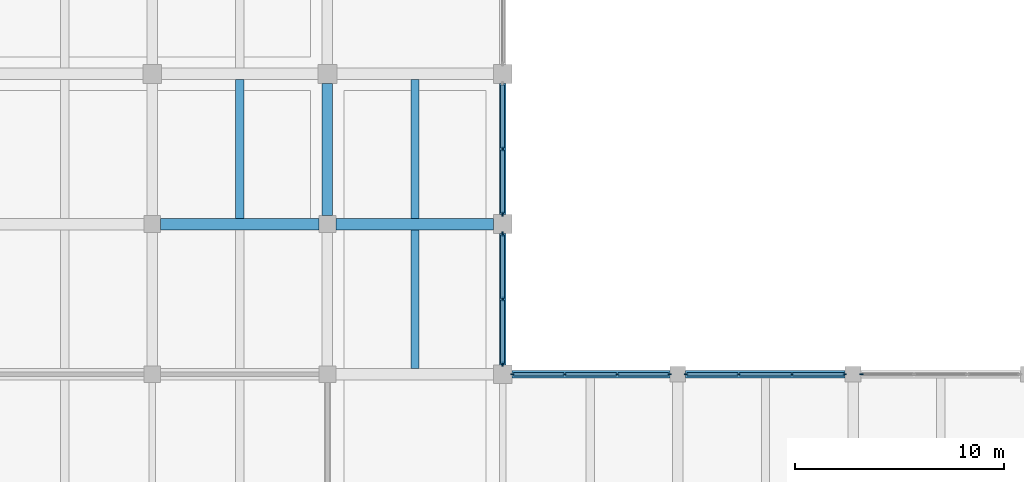
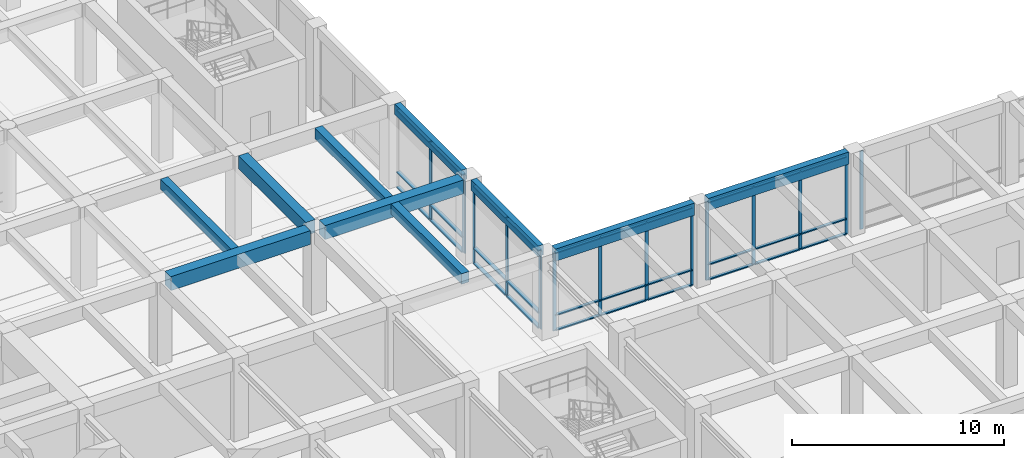
# One storey, part 16 of 52: 44 members, 10 beams, 5 elements without a shape of their own.
"""IFC4 building model written with IfcOpenShell, lengths in metres."""

from ifc_helpers import new_model, si_unit, direction, frame, origin, origin_2d, place, context, subcontext, project, spatial, rectangle, extrude, material, material_profile, profile_set, type_object, element, aggregate, save


model = new_model("IFC4")

# Units and contexts
model_context = context("Model", 3, precision=1e-05, world=origin(), true_north=direction((0.0, 1.0)))
body_context = subcontext(model_context, "Body", "Model", "MODEL_VIEW")
ifc_project = project(units=[si_unit("LENGTHUNIT", "METRE"), si_unit("AREAUNIT", "SQUARE_METRE"), si_unit("VOLUMEUNIT", "CUBIC_METRE"), si_unit("PLANEANGLEUNIT", "RADIAN"), si_unit("MASSUNIT", "GRAM", prefix="KILO")], contexts=[model_context])

# Site, building, storey
site_placement = place(None, origin())
site = spatial("IfcSite", under=ifc_project, at=site_placement, CompositionType="ELEMENT")
building_placement = place(site_placement, origin())
building = spatial("IfcBuilding", under=site, at=building_placement, Name="Kenerak Square Central Library", CompositionType="ELEMENT")
storey_placement = place(building_placement, frame((0.0, 0.0, 4.800048828125)))
storey = spatial("IfcBuildingStorey", under=building, at=storey_placement, Name="L01", CompositionType="ELEMENT", Elevation=4.800048828125)

# Beams
ifc_material_1 = material(Name="Concrete C40/50", Category="concrete")
ifc_material_profile_1 = material_profile(ifc_material_1, rectangle(XDim=0.300048828125, YDim=0.60009765625, at=origin_2d()), Name="RC 300x600")
ifc_profile_set_1 = profile_set([ifc_material_profile_1], Name="Concrete C40/50")
beam_type_1 = type_object("IfcBeamType", Name="Courtyard Spandrel Beam SP-02 RC 300x600 C40/50", PredefinedType="SPANDREL", material=ifc_profile_set_1)
beam_1_placement = place(storey_placement, frame((117.199951171875, 38.85009765625, 4.5), z_axis=(0.0, 1.0, 0.0), x_axis=(-1.0, 0.0, 0.0)))
element("IfcBeam", 1, at=beam_1_placement, inside=storey, type_object=beam_type_1, Name="Beam SP-02 L01 1072", PredefinedType="SPANDREL", context=body_context, shape_type="SweptSolid", body=[
    extrude(rectangle(XDim=0.300048828125, YDim=0.60009765625, at=origin_2d()), origin(), (0.0, 0.0, 1.0), 6.2998046875),
])
beam_2_placement = place(storey_placement, frame((117.199951171875, 46.050048828125, 4.5), z_axis=(0.0, 1.0, 0.0), x_axis=(-1.0, 0.0, 0.0)))
element("IfcBeam", 2, at=beam_2_placement, inside=storey, type_object=beam_type_1, Name="Beam SP-02 L01 1073", PredefinedType="SPANDREL", context=body_context, shape_type="SweptSolid", body=[
    extrude(rectangle(XDim=0.300048828125, YDim=0.60009765625, at=origin_2d()), origin(), (0.0, 0.0, 1.0), 6.300048828125),
])

# Curtain wall, members
ifc_material_2 = material(Name="Anodised aluminium and solar-control low-E glazing", Category="aluminium")
curtain_wall_type_1 = type_object("IfcCurtainWallType", Name="Curtain Wall CW-V6-75x45 7575x4500", PredefinedType="USERDEFINED", material=ifc_material_2)
curtain_wall_1_placement = place(storey_placement, origin())
curtain_wall_1 = element("IfcCurtainWall", 3, at=curtain_wall_1_placement, inside=storey, type_object=curtain_wall_type_1, Name="Curtain Wall CW-V6-75x45 L01 0035", ObjectType="CURTAIN WALL", PredefinedType="USERDEFINED")
ifc_material_3 = material(Name="Anodised aluminium 6063-T6", Category="aluminium")
ifc_material_profile_2 = material_profile(ifc_material_3, rectangle(XDim=0.06494140625, YDim=0.179931640625, at=origin_2d()), Name="AL MULLION 65x180")
ifc_profile_set_2 = profile_set([ifc_material_profile_2], Name="Anodised aluminium 6063-T6")
member_type_1 = type_object("IfcMemberType", Name="Curtain Mullion CM-01 65x180", PredefinedType="MULLION", material=ifc_profile_set_2)
member_1_placement = place(storey_placement, frame((117.6826171875, 38.39990234375, 0.0), z_axis=(0.0, 0.0, 1.0), x_axis=(0.0, 1.0, 0.0)))
member_1 = element("IfcMember", 4, at=member_1_placement, type_object=member_type_1, Name="CW-V6-75x45 Mullion 1", PredefinedType="MULLION", context=body_context, shape_type="SweptSolid", body=[
    extrude(rectangle(XDim=0.06494140625, YDim=0.179931640625, at=origin_2d()), origin(), (0.0, 0.0, 1.0), 4.5),
])
member_2_placement = place(storey_placement, frame((120.175048828125, 38.39990234375, 0.0), z_axis=(0.0, 0.0, 1.0), x_axis=(0.0, 1.0, 0.0)))
member_2 = element("IfcMember", 5, at=member_2_placement, type_object=member_type_1, Name="CW-V6-75x45 Mullion 2", PredefinedType="MULLION", context=body_context, shape_type="SweptSolid", body=[
    extrude(rectangle(XDim=0.06494140625, YDim=0.179931640625, at=origin_2d()), origin(), (0.0, 0.0, 1.0), 4.5),
])
member_3_placement = place(storey_placement, frame((122.699951171875, 38.39990234375, 0.0), z_axis=(0.0, 0.0, 1.0), x_axis=(0.0, 1.0, 0.0)))
member_3 = element("IfcMember", 6, at=member_3_placement, type_object=member_type_1, Name="CW-V6-75x45 Mullion 3", PredefinedType="MULLION", context=body_context, shape_type="SweptSolid", body=[
    extrude(rectangle(XDim=0.06494140625, YDim=0.179931640625, at=origin_2d()), origin(), (0.0, 0.0, 1.0), 4.5),
])
member_4_placement = place(storey_placement, frame((125.1923828125, 38.39990234375, 0.0), z_axis=(0.0, 0.0, 1.0), x_axis=(0.0, 1.0, 0.0)))
member_4 = element("IfcMember", 7, at=member_4_placement, type_object=member_type_1, Name="CW-V6-75x45 Mullion 4", PredefinedType="MULLION", context=body_context, shape_type="SweptSolid", body=[
    extrude(rectangle(XDim=0.06494140625, YDim=0.179931640625, at=origin_2d()), origin(), (0.0, 0.0, 1.0), 4.5),
])

curtain_wall_type_2 = type_object("IfcCurtainWallType", Name="Curtain Wall CW-V6-76x45 7650x4500", PredefinedType="USERDEFINED", material=ifc_material_2)
curtain_wall_2_placement = place(storey_placement, origin())
curtain_wall_2 = element("IfcCurtainWall", 8, at=curtain_wall_2_placement, inside=storey, type_object=curtain_wall_type_2, Name="Curtain Wall CW-V6-76x45 L01 0036", ObjectType="CURTAIN WALL", PredefinedType="USERDEFINED")
member_5_placement = place(storey_placement, frame((126.007568359375, 38.39990234375, 0.0), z_axis=(0.0, 0.0, 1.0), x_axis=(0.0, 1.0, 0.0)))
member_5 = element("IfcMember", 9, at=member_5_placement, type_object=member_type_1, Name="CW-V6-76x45 Mullion 1", PredefinedType="MULLION", context=body_context, shape_type="SweptSolid", body=[
    extrude(rectangle(XDim=0.06494140625, YDim=0.179931640625, at=origin_2d()), origin(), (0.0, 0.0, 1.0), 4.5),
])
member_6_placement = place(storey_placement, frame((128.52490234375, 38.39990234375, 0.0), z_axis=(0.0, 0.0, 1.0), x_axis=(0.0, 1.0, 0.0)))
member_6 = element("IfcMember", 10, at=member_6_placement, type_object=member_type_1, Name="CW-V6-76x45 Mullion 2", PredefinedType="MULLION", context=body_context, shape_type="SweptSolid", body=[
    extrude(rectangle(XDim=0.06494140625, YDim=0.179931640625, at=origin_2d()), origin(), (0.0, 0.0, 1.0), 4.5),
])
member_7_placement = place(storey_placement, frame((131.074951171875, 38.39990234375, 0.0), z_axis=(0.0, 0.0, 1.0), x_axis=(0.0, 1.0, 0.0)))
member_7 = element("IfcMember", 11, at=member_7_placement, type_object=member_type_1, Name="CW-V6-76x45 Mullion 3", PredefinedType="MULLION", context=body_context, shape_type="SweptSolid", body=[
    extrude(rectangle(XDim=0.06494140625, YDim=0.179931640625, at=origin_2d()), origin(), (0.0, 0.0, 1.0), 4.5),
])
member_8_placement = place(storey_placement, frame((133.592529296875, 38.39990234375, 0.0), z_axis=(0.0, 0.0, 1.0), x_axis=(0.0, 1.0, 0.0)))
member_8 = element("IfcMember", 12, at=member_8_placement, type_object=member_type_1, Name="CW-V6-76x45 Mullion 4", PredefinedType="MULLION", context=body_context, shape_type="SweptSolid", body=[
    extrude(rectangle(XDim=0.06494140625, YDim=0.179931640625, at=origin_2d()), origin(), (0.0, 0.0, 1.0), 4.5),
])

# Curtain wall, member
curtain_wall_3_placement = place(storey_placement, origin())
curtain_wall_3 = element("IfcCurtainWall", 13, at=curtain_wall_3_placement, inside=storey, type_object=curtain_wall_type_2, Name="Curtain Wall CW-V6-76x45 L01 0037", ObjectType="CURTAIN WALL", PredefinedType="USERDEFINED")
member_9_placement = place(storey_placement, frame((134.407470703125, 38.39990234375, 0.0), z_axis=(0.0, 0.0, 1.0), x_axis=(0.0, 1.0, 0.0)))
member_9 = element("IfcMember", 14, at=member_9_placement, type_object=member_type_1, Name="CW-V6-76x45 Mullion 1", PredefinedType="MULLION", context=body_context, shape_type="SweptSolid", body=[
    extrude(rectangle(XDim=0.06494140625, YDim=0.179931640625, at=origin_2d()), origin(), (0.0, 0.0, 1.0), 4.5),
])
aggregate(curtain_wall_3, [member_9])

# Curtain wall, members
curtain_wall_type_3 = type_object("IfcCurtainWallType", Name="Curtain Wall CW-V1-63x45 6300x4500", PredefinedType="USERDEFINED", material=ifc_material_2)
curtain_wall_4_placement = place(storey_placement, origin())
curtain_wall_4 = element("IfcCurtainWall", 15, at=curtain_wall_4_placement, inside=storey, type_object=curtain_wall_type_3, Name="Curtain Wall CW-V1-63x45 L01 0033", ObjectType="CURTAIN WALL", PredefinedType="USERDEFINED")
ifc_material_profile_3 = material_profile(ifc_material_3, rectangle(XDim=0.074951171875, YDim=0.219970703125, at=origin_2d()), Name="AL MULLION 75x220")
ifc_profile_set_3 = profile_set([ifc_material_profile_3], Name="Anodised aluminium 6063-T6")
member_type_2 = type_object("IfcMemberType", Name="Curtain Mullion CM-02 75x220", PredefinedType="MULLION", material=ifc_profile_set_3)
member_10_placement = place(storey_placement, frame((117.199951171875, 49.199951171875, 0.0), z_axis=(0.0, 0.0, 1.0), x_axis=(1.0, 0.0, 0.0)))
member_10 = element("IfcMember", 16, at=member_10_placement, type_object=member_type_2, Name="CW-V1-63x45 Mullion 2", PredefinedType="MULLION", context=body_context, shape_type="SweptSolid", body=[
    extrude(rectangle(XDim=0.074951171875, YDim=0.219970703125, at=origin_2d()), origin(), (0.0, 0.0, 1.0), 4.5),
])
member_11_placement = place(storey_placement, frame((117.199951171875, 46.08740234375, 0.0), z_axis=(0.0, 0.0, 1.0), x_axis=(1.0, 0.0, 0.0)))
member_11 = element("IfcMember", 17, at=member_11_placement, type_object=member_type_2, Name="CW-V1-63x45 Mullion 3", PredefinedType="MULLION", context=body_context, shape_type="SweptSolid", body=[
    extrude(rectangle(XDim=0.074951171875, YDim=0.219970703125, at=origin_2d()), origin(), (0.0, 0.0, 1.0), 4.5),
])

curtain_wall_5_placement = place(storey_placement, origin())
curtain_wall_5 = element("IfcCurtainWall", 18, at=curtain_wall_5_placement, inside=storey, type_object=curtain_wall_type_3, Name="Curtain Wall CW-V1-63x45 L01 0034", ObjectType="CURTAIN WALL", PredefinedType="USERDEFINED")
member_12_placement = place(storey_placement, frame((117.199951171875, 45.112548828125, 0.0), z_axis=(0.0, 0.0, 1.0), x_axis=(1.0, 0.0, 0.0)))
member_12 = element("IfcMember", 19, at=member_12_placement, type_object=member_type_2, Name="CW-V1-63x45 Mullion 1", PredefinedType="MULLION", context=body_context, shape_type="SweptSolid", body=[
    extrude(rectangle(XDim=0.074951171875, YDim=0.219970703125, at=origin_2d()), origin(), (0.0, 0.0, 1.0), 4.5),
])
member_13_placement = place(storey_placement, frame((117.199951171875, 42.0, 0.0), z_axis=(0.0, 0.0, 1.0), x_axis=(1.0, 0.0, 0.0)))
member_13 = element("IfcMember", 20, at=member_13_placement, type_object=member_type_2, Name="CW-V1-63x45 Mullion 2", PredefinedType="MULLION", context=body_context, shape_type="SweptSolid", body=[
    extrude(rectangle(XDim=0.074951171875, YDim=0.219970703125, at=origin_2d()), origin(), (0.0, 0.0, 1.0), 4.5),
])
member_14_placement = place(storey_placement, frame((117.199951171875, 38.887451171875, 0.0), z_axis=(0.0, 0.0, 1.0), x_axis=(1.0, 0.0, 0.0)))
member_14 = element("IfcMember", 21, at=member_14_placement, type_object=member_type_2, Name="CW-V1-63x45 Mullion 3", PredefinedType="MULLION", context=body_context, shape_type="SweptSolid", body=[
    extrude(rectangle(XDim=0.074951171875, YDim=0.219970703125, at=origin_2d()), origin(), (0.0, 0.0, 1.0), 4.5),
])

# Member
ifc_material_profile_4 = material_profile(ifc_material_3, rectangle(XDim=0.159912109375, YDim=0.06494140625, at=origin_2d()), Name="AL TRANSOM 160x65")
ifc_profile_set_4 = profile_set([ifc_material_profile_4], Name="Anodised aluminium 6063-T6")
member_type_3 = type_object("IfcMemberType", Name="Curtain Transom CT-11 160x65", PredefinedType="USERDEFINED", material=ifc_profile_set_4)
member_15_placement = place(storey_placement, frame((117.715087890625, 38.39990234375, 0.032470703125), z_axis=(1.0, 0.0, 0.0), x_axis=(0.0, 1.0, 0.0)))
member_15 = element("IfcMember", 22, at=member_15_placement, type_object=member_type_3, Name="CW-V6-75x45 Transom 1.1", ObjectType="TRANSOM", PredefinedType="USERDEFINED", context=body_context, shape_type="SweptSolid", body=[
    extrude(rectangle(XDim=0.159912109375, YDim=0.06494140625, at=origin_2d()), origin(), (0.0, 0.0, 1.0), 2.427490234375),
])

member_16_placement = place(storey_placement, frame((117.715087890625, 38.39990234375, 0.89990234375), z_axis=(1.0, 0.0, 0.0), x_axis=(0.0, 1.0, 0.0)))
member_16 = element("IfcMember", 23, at=member_16_placement, type_object=member_type_3, Name="CW-V6-75x45 Transom 1.2", ObjectType="TRANSOM", PredefinedType="USERDEFINED", context=body_context, shape_type="SweptSolid", body=[
    extrude(rectangle(XDim=0.159912109375, YDim=0.06494140625, at=origin_2d()), origin(), (0.0, 0.0, 1.0), 2.427490234375),
])

member_17_placement = place(storey_placement, frame((117.715087890625, 38.39990234375, 4.467529296875), z_axis=(1.0, 0.0, 0.0), x_axis=(0.0, 1.0, 0.0)))
member_17 = element("IfcMember", 24, at=member_17_placement, type_object=member_type_3, Name="CW-V6-75x45 Transom 1.3", ObjectType="TRANSOM", PredefinedType="USERDEFINED", context=body_context, shape_type="SweptSolid", body=[
    extrude(rectangle(XDim=0.159912109375, YDim=0.06494140625, at=origin_2d()), origin(), (0.0, 0.0, 1.0), 2.427490234375),
])

member_18_placement = place(storey_placement, frame((120.20751953125, 38.39990234375, 0.032470703125), z_axis=(1.0, 0.0, 0.0), x_axis=(0.0, 1.0, 0.0)))
member_18 = element("IfcMember", 25, at=member_18_placement, type_object=member_type_3, Name="CW-V6-75x45 Transom 2.1", ObjectType="TRANSOM", PredefinedType="USERDEFINED", context=body_context, shape_type="SweptSolid", body=[
    extrude(rectangle(XDim=0.159912109375, YDim=0.06494140625, at=origin_2d()), origin(), (0.0, 0.0, 1.0), 2.4599609375),
])

member_19_placement = place(storey_placement, frame((120.20751953125, 38.39990234375, 0.89990234375), z_axis=(1.0, 0.0, 0.0), x_axis=(0.0, 1.0, 0.0)))
member_19 = element("IfcMember", 26, at=member_19_placement, type_object=member_type_3, Name="CW-V6-75x45 Transom 2.2", ObjectType="TRANSOM", PredefinedType="USERDEFINED", context=body_context, shape_type="SweptSolid", body=[
    extrude(rectangle(XDim=0.159912109375, YDim=0.06494140625, at=origin_2d()), origin(), (0.0, 0.0, 1.0), 2.4599609375),
])

member_20_placement = place(storey_placement, frame((120.20751953125, 38.39990234375, 4.467529296875), z_axis=(1.0, 0.0, 0.0), x_axis=(0.0, 1.0, 0.0)))
member_20 = element("IfcMember", 27, at=member_20_placement, type_object=member_type_3, Name="CW-V6-75x45 Transom 2.3", ObjectType="TRANSOM", PredefinedType="USERDEFINED", context=body_context, shape_type="SweptSolid", body=[
    extrude(rectangle(XDim=0.159912109375, YDim=0.06494140625, at=origin_2d()), origin(), (0.0, 0.0, 1.0), 2.4599609375),
])

member_21_placement = place(storey_placement, frame((122.732421875, 38.39990234375, 0.032470703125), z_axis=(1.0, 0.0, 0.0), x_axis=(0.0, 1.0, 0.0)))
member_21 = element("IfcMember", 28, at=member_21_placement, type_object=member_type_3, Name="CW-V6-75x45 Transom 3.1", ObjectType="TRANSOM", PredefinedType="USERDEFINED", context=body_context, shape_type="SweptSolid", body=[
    extrude(rectangle(XDim=0.159912109375, YDim=0.06494140625, at=origin_2d()), origin(), (0.0, 0.0, 1.0), 2.427490234375),
])

member_22_placement = place(storey_placement, frame((122.732421875, 38.39990234375, 0.89990234375), z_axis=(1.0, 0.0, 0.0), x_axis=(0.0, 1.0, 0.0)))
member_22 = element("IfcMember", 29, at=member_22_placement, type_object=member_type_3, Name="CW-V6-75x45 Transom 3.2", ObjectType="TRANSOM", PredefinedType="USERDEFINED", context=body_context, shape_type="SweptSolid", body=[
    extrude(rectangle(XDim=0.159912109375, YDim=0.06494140625, at=origin_2d()), origin(), (0.0, 0.0, 1.0), 2.427490234375),
])

member_23_placement = place(storey_placement, frame((122.732421875, 38.39990234375, 4.467529296875), z_axis=(1.0, 0.0, 0.0), x_axis=(0.0, 1.0, 0.0)))
member_23 = element("IfcMember", 30, at=member_23_placement, type_object=member_type_3, Name="CW-V6-75x45 Transom 3.3", ObjectType="TRANSOM", PredefinedType="USERDEFINED", context=body_context, shape_type="SweptSolid", body=[
    extrude(rectangle(XDim=0.159912109375, YDim=0.06494140625, at=origin_2d()), origin(), (0.0, 0.0, 1.0), 2.427490234375),
])

aggregate(curtain_wall_1, [member_1, member_2, member_3, member_4, member_15, member_16, member_17, member_18, member_19, member_20, member_21, member_22, member_23])

member_24_placement = place(storey_placement, frame((126.0400390625, 38.39990234375, 0.032470703125), z_axis=(1.0, 0.0, 0.0), x_axis=(0.0, 1.0, 0.0)))
member_24 = element("IfcMember", 31, at=member_24_placement, type_object=member_type_3, Name="CW-V6-76x45 Transom 1.1", ObjectType="TRANSOM", PredefinedType="USERDEFINED", context=body_context, shape_type="SweptSolid", body=[
    extrude(rectangle(XDim=0.159912109375, YDim=0.06494140625, at=origin_2d()), origin(), (0.0, 0.0, 1.0), 2.452392578125),
])

member_25_placement = place(storey_placement, frame((126.0400390625, 38.39990234375, 0.89990234375), z_axis=(1.0, 0.0, 0.0), x_axis=(0.0, 1.0, 0.0)))
member_25 = element("IfcMember", 32, at=member_25_placement, type_object=member_type_3, Name="CW-V6-76x45 Transom 1.2", ObjectType="TRANSOM", PredefinedType="USERDEFINED", context=body_context, shape_type="SweptSolid", body=[
    extrude(rectangle(XDim=0.159912109375, YDim=0.06494140625, at=origin_2d()), origin(), (0.0, 0.0, 1.0), 2.452392578125),
])

member_26_placement = place(storey_placement, frame((126.0400390625, 38.39990234375, 4.467529296875), z_axis=(1.0, 0.0, 0.0), x_axis=(0.0, 1.0, 0.0)))
member_26 = element("IfcMember", 33, at=member_26_placement, type_object=member_type_3, Name="CW-V6-76x45 Transom 1.3", ObjectType="TRANSOM", PredefinedType="USERDEFINED", context=body_context, shape_type="SweptSolid", body=[
    extrude(rectangle(XDim=0.159912109375, YDim=0.06494140625, at=origin_2d()), origin(), (0.0, 0.0, 1.0), 2.452392578125),
])

member_27_placement = place(storey_placement, frame((128.5576171875, 38.39990234375, 0.032470703125), z_axis=(1.0, 0.0, 0.0), x_axis=(0.0, 1.0, 0.0)))
member_27 = element("IfcMember", 34, at=member_27_placement, type_object=member_type_3, Name="CW-V6-76x45 Transom 2.1", ObjectType="TRANSOM", PredefinedType="USERDEFINED", context=body_context, shape_type="SweptSolid", body=[
    extrude(rectangle(XDim=0.159912109375, YDim=0.06494140625, at=origin_2d()), origin(), (0.0, 0.0, 1.0), 2.48486328125),
])

member_28_placement = place(storey_placement, frame((128.5576171875, 38.39990234375, 0.89990234375), z_axis=(1.0, 0.0, 0.0), x_axis=(0.0, 1.0, 0.0)))
member_28 = element("IfcMember", 35, at=member_28_placement, type_object=member_type_3, Name="CW-V6-76x45 Transom 2.2", ObjectType="TRANSOM", PredefinedType="USERDEFINED", context=body_context, shape_type="SweptSolid", body=[
    extrude(rectangle(XDim=0.159912109375, YDim=0.06494140625, at=origin_2d()), origin(), (0.0, 0.0, 1.0), 2.48486328125),
])

member_29_placement = place(storey_placement, frame((128.5576171875, 38.39990234375, 4.467529296875), z_axis=(1.0, 0.0, 0.0), x_axis=(0.0, 1.0, 0.0)))
member_29 = element("IfcMember", 36, at=member_29_placement, type_object=member_type_3, Name="CW-V6-76x45 Transom 2.3", ObjectType="TRANSOM", PredefinedType="USERDEFINED", context=body_context, shape_type="SweptSolid", body=[
    extrude(rectangle(XDim=0.159912109375, YDim=0.06494140625, at=origin_2d()), origin(), (0.0, 0.0, 1.0), 2.48486328125),
])

member_30_placement = place(storey_placement, frame((131.107421875, 38.39990234375, 0.032470703125), z_axis=(1.0, 0.0, 0.0), x_axis=(0.0, 1.0, 0.0)))
member_30 = element("IfcMember", 37, at=member_30_placement, type_object=member_type_3, Name="CW-V6-76x45 Transom 3.1", ObjectType="TRANSOM", PredefinedType="USERDEFINED", context=body_context, shape_type="SweptSolid", body=[
    extrude(rectangle(XDim=0.159912109375, YDim=0.06494140625, at=origin_2d()), origin(), (0.0, 0.0, 1.0), 2.45263671875),
])

member_31_placement = place(storey_placement, frame((131.107421875, 38.39990234375, 0.89990234375), z_axis=(1.0, 0.0, 0.0), x_axis=(0.0, 1.0, 0.0)))
member_31 = element("IfcMember", 38, at=member_31_placement, type_object=member_type_3, Name="CW-V6-76x45 Transom 3.2", ObjectType="TRANSOM", PredefinedType="USERDEFINED", context=body_context, shape_type="SweptSolid", body=[
    extrude(rectangle(XDim=0.159912109375, YDim=0.06494140625, at=origin_2d()), origin(), (0.0, 0.0, 1.0), 2.45263671875),
])

member_32_placement = place(storey_placement, frame((131.107421875, 38.39990234375, 4.467529296875), z_axis=(1.0, 0.0, 0.0), x_axis=(0.0, 1.0, 0.0)))
member_32 = element("IfcMember", 39, at=member_32_placement, type_object=member_type_3, Name="CW-V6-76x45 Transom 3.3", ObjectType="TRANSOM", PredefinedType="USERDEFINED", context=body_context, shape_type="SweptSolid", body=[
    extrude(rectangle(XDim=0.159912109375, YDim=0.06494140625, at=origin_2d()), origin(), (0.0, 0.0, 1.0), 2.45263671875),
])

aggregate(curtain_wall_2, [member_5, member_6, member_7, member_8, member_24, member_25, member_26, member_27, member_28, member_29, member_30, member_31, member_32])

ifc_material_profile_5 = material_profile(ifc_material_3, rectangle(XDim=0.199951171875, YDim=0.074951171875, at=origin_2d()), Name="AL TRANSOM 200x75")
ifc_profile_set_5 = profile_set([ifc_material_profile_5], Name="Anodised aluminium 6063-T6")
member_type_4 = type_object("IfcMemberType", Name="Curtain Transom CT-12 200x75", PredefinedType="USERDEFINED", material=ifc_profile_set_5)
member_33_placement = place(storey_placement, frame((117.199951171875, 52.27490234375, 0.037353515625), z_axis=(0.0, -1.0, 0.0), x_axis=(1.0, 0.0, 0.0)))
member_33 = element("IfcMember", 40, at=member_33_placement, type_object=member_type_4, Name="CW-V1-63x45 Transom 1.1", ObjectType="TRANSOM", PredefinedType="USERDEFINED", context=body_context, shape_type="SweptSolid", body=[
    extrude(rectangle(XDim=0.199951171875, YDim=0.074951171875, at=origin_2d()), origin(), (0.0, 0.0, 1.0), 3.037353515625),
])

member_34_placement = place(storey_placement, frame((117.199951171875, 52.27490234375, 0.89990234375), z_axis=(0.0, -1.0, 0.0), x_axis=(1.0, 0.0, 0.0)))
member_34 = element("IfcMember", 41, at=member_34_placement, type_object=member_type_4, Name="CW-V1-63x45 Transom 1.2", ObjectType="TRANSOM", PredefinedType="USERDEFINED", context=body_context, shape_type="SweptSolid", body=[
    extrude(rectangle(XDim=0.199951171875, YDim=0.074951171875, at=origin_2d()), origin(), (0.0, 0.0, 1.0), 3.037353515625),
])

member_35_placement = place(storey_placement, frame((117.199951171875, 52.27490234375, 4.46240234375), z_axis=(0.0, -1.0, 0.0), x_axis=(1.0, 0.0, 0.0)))
member_35 = element("IfcMember", 42, at=member_35_placement, type_object=member_type_4, Name="CW-V1-63x45 Transom 1.3", ObjectType="TRANSOM", PredefinedType="USERDEFINED", context=body_context, shape_type="SweptSolid", body=[
    extrude(rectangle(XDim=0.199951171875, YDim=0.074951171875, at=origin_2d()), origin(), (0.0, 0.0, 1.0), 3.037353515625),
])

member_36_placement = place(storey_placement, frame((117.199951171875, 49.16259765625, 0.037353515625), z_axis=(0.0, -1.0, 0.0), x_axis=(1.0, 0.0, 0.0)))
member_36 = element("IfcMember", 43, at=member_36_placement, type_object=member_type_4, Name="CW-V1-63x45 Transom 2.1", ObjectType="TRANSOM", PredefinedType="USERDEFINED", context=body_context, shape_type="SweptSolid", body=[
    extrude(rectangle(XDim=0.199951171875, YDim=0.074951171875, at=origin_2d()), origin(), (0.0, 0.0, 1.0), 3.03759765625),
])

member_37_placement = place(storey_placement, frame((117.199951171875, 49.16259765625, 0.89990234375), z_axis=(0.0, -1.0, 0.0), x_axis=(1.0, 0.0, 0.0)))
member_37 = element("IfcMember", 44, at=member_37_placement, type_object=member_type_4, Name="CW-V1-63x45 Transom 2.2", ObjectType="TRANSOM", PredefinedType="USERDEFINED", context=body_context, shape_type="SweptSolid", body=[
    extrude(rectangle(XDim=0.199951171875, YDim=0.074951171875, at=origin_2d()), origin(), (0.0, 0.0, 1.0), 3.03759765625),
])

member_38_placement = place(storey_placement, frame((117.199951171875, 49.16259765625, 4.46240234375), z_axis=(0.0, -1.0, 0.0), x_axis=(1.0, 0.0, 0.0)))
member_38 = element("IfcMember", 45, at=member_38_placement, type_object=member_type_4, Name="CW-V1-63x45 Transom 2.3", ObjectType="TRANSOM", PredefinedType="USERDEFINED", context=body_context, shape_type="SweptSolid", body=[
    extrude(rectangle(XDim=0.199951171875, YDim=0.074951171875, at=origin_2d()), origin(), (0.0, 0.0, 1.0), 3.03759765625),
])

aggregate(curtain_wall_4, [member_10, member_11, member_33, member_34, member_35, member_36, member_37, member_38])

member_39_placement = place(storey_placement, frame((117.199951171875, 45.074951171875, 0.037353515625), z_axis=(0.0, -1.0, 0.0), x_axis=(1.0, 0.0, 0.0)))
member_39 = element("IfcMember", 46, at=member_39_placement, type_object=member_type_4, Name="CW-V1-63x45 Transom 1.1", ObjectType="TRANSOM", PredefinedType="USERDEFINED", context=body_context, shape_type="SweptSolid", body=[
    extrude(rectangle(XDim=0.199951171875, YDim=0.074951171875, at=origin_2d()), origin(), (0.0, 0.0, 1.0), 3.037353515625),
])

member_40_placement = place(storey_placement, frame((117.199951171875, 45.074951171875, 0.89990234375), z_axis=(0.0, -1.0, 0.0), x_axis=(1.0, 0.0, 0.0)))
member_40 = element("IfcMember", 47, at=member_40_placement, type_object=member_type_4, Name="CW-V1-63x45 Transom 1.2", ObjectType="TRANSOM", PredefinedType="USERDEFINED", context=body_context, shape_type="SweptSolid", body=[
    extrude(rectangle(XDim=0.199951171875, YDim=0.074951171875, at=origin_2d()), origin(), (0.0, 0.0, 1.0), 3.037353515625),
])

member_41_placement = place(storey_placement, frame((117.199951171875, 45.074951171875, 4.46240234375), z_axis=(0.0, -1.0, 0.0), x_axis=(1.0, 0.0, 0.0)))
member_41 = element("IfcMember", 48, at=member_41_placement, type_object=member_type_4, Name="CW-V1-63x45 Transom 1.3", ObjectType="TRANSOM", PredefinedType="USERDEFINED", context=body_context, shape_type="SweptSolid", body=[
    extrude(rectangle(XDim=0.199951171875, YDim=0.074951171875, at=origin_2d()), origin(), (0.0, 0.0, 1.0), 3.037353515625),
])

member_42_placement = place(storey_placement, frame((117.199951171875, 41.96240234375, 0.037353515625), z_axis=(0.0, -1.0, 0.0), x_axis=(1.0, 0.0, 0.0)))
member_42 = element("IfcMember", 49, at=member_42_placement, type_object=member_type_4, Name="CW-V1-63x45 Transom 2.1", ObjectType="TRANSOM", PredefinedType="USERDEFINED", context=body_context, shape_type="SweptSolid", body=[
    extrude(rectangle(XDim=0.199951171875, YDim=0.074951171875, at=origin_2d()), origin(), (0.0, 0.0, 1.0), 3.037353515625),
])

member_43_placement = place(storey_placement, frame((117.199951171875, 41.96240234375, 0.89990234375), z_axis=(0.0, -1.0, 0.0), x_axis=(1.0, 0.0, 0.0)))
member_43 = element("IfcMember", 50, at=member_43_placement, type_object=member_type_4, Name="CW-V1-63x45 Transom 2.2", ObjectType="TRANSOM", PredefinedType="USERDEFINED", context=body_context, shape_type="SweptSolid", body=[
    extrude(rectangle(XDim=0.199951171875, YDim=0.074951171875, at=origin_2d()), origin(), (0.0, 0.0, 1.0), 3.037353515625),
])

member_44_placement = place(storey_placement, frame((117.199951171875, 41.96240234375, 4.46240234375), z_axis=(0.0, -1.0, 0.0), x_axis=(1.0, 0.0, 0.0)))
member_44 = element("IfcMember", 51, at=member_44_placement, type_object=member_type_4, Name="CW-V1-63x45 Transom 2.3", ObjectType="TRANSOM", PredefinedType="USERDEFINED", context=body_context, shape_type="SweptSolid", body=[
    extrude(rectangle(XDim=0.199951171875, YDim=0.074951171875, at=origin_2d()), origin(), (0.0, 0.0, 1.0), 3.037353515625),
])

aggregate(curtain_wall_5, [member_12, member_13, member_14, member_39, member_40, member_41, member_42, member_43, member_44])

# Beams
ifc_material_profile_6 = material_profile(ifc_material_1, rectangle(XDim=0.35009765625, YDim=0.699951171875, at=origin_2d()), Name="RC 350x700")
ifc_profile_set_6 = profile_set([ifc_material_profile_6], Name="Concrete C40/50")
beam_type_2 = type_object("IfcBeamType", Name="Expressed Spandrel Beam SP-01 RC 350x700 C40/50", PredefinedType="SPANDREL", material=ifc_profile_set_6)
beam_3_placement = place(storey_placement, frame((117.64990234375, 38.39990234375, 4.449951171875), z_axis=(1.0, 0.0, 0.0), x_axis=(0.0, 1.0, 0.0)))
element("IfcBeam", 52, at=beam_3_placement, inside=storey, type_object=beam_type_2, Name="Beam SP-01 L01 0906", PredefinedType="SPANDREL", context=body_context, shape_type="SweptSolid", body=[
    extrude(rectangle(XDim=0.35009765625, YDim=0.699951171875, at=origin_2d()), origin(), (0.0, 0.0, 1.0), 7.5751953125),
])
beam_4_placement = place(storey_placement, frame((125.97509765625, 38.39990234375, 4.449951171875), z_axis=(1.0, 0.0, 0.0), x_axis=(0.0, 1.0, 0.0)))
element("IfcBeam", 53, at=beam_4_placement, inside=storey, type_object=beam_type_2, Name="Beam SP-01 L01 0907", PredefinedType="SPANDREL", context=body_context, shape_type="SweptSolid", body=[
    extrude(rectangle(XDim=0.35009765625, YDim=0.699951171875, at=origin_2d()), origin(), (0.0, 0.0, 1.0), 7.64990234375),
])
ifc_material_profile_7 = material_profile(ifc_material_1, rectangle(XDim=0.550048828125, YDim=0.800048828125, at=origin_2d()), Name="RC 550x800")
ifc_profile_set_7 = profile_set([ifc_material_profile_7], Name="Concrete C40/50")
beam_type_3 = type_object("IfcBeamType", Name="Primary Reading Beam B-04 RC 550x800 C40/50", PredefinedType="BEAM", material=ifc_profile_set_7)
beam_5_placement = place(storey_placement, frame((100.800048828125, 45.60009765625, 4.39990234375), z_axis=(1.0, 0.0, 0.0), x_axis=(0.0, 1.0, 0.0)))
element("IfcBeam", 54, at=beam_5_placement, inside=storey, type_object=beam_type_3, Name="Beam B-04 L01 0914", PredefinedType="BEAM", context=body_context, shape_type="SweptSolid", body=[
    extrude(rectangle(XDim=0.550048828125, YDim=0.800048828125, at=origin_2d()), origin(), (0.0, 0.0, 1.0), 7.599853515625),
])
beam_6_placement = place(storey_placement, frame((109.199951171875, 45.60009765625, 4.39990234375), z_axis=(1.0, 0.0, 0.0), x_axis=(0.0, 1.0, 0.0)))
element("IfcBeam", 55, at=beam_6_placement, inside=storey, type_object=beam_type_3, Name="Beam B-04 L01 0915", PredefinedType="BEAM", context=body_context, shape_type="SweptSolid", body=[
    extrude(rectangle(XDim=0.550048828125, YDim=0.800048828125, at=origin_2d()), origin(), (0.0, 0.0, 1.0), 7.550048828125),
])
ifc_material_profile_8 = material_profile(ifc_material_1, rectangle(XDim=0.39990234375, YDim=0.60009765625, at=origin_2d()), Name="RC 400x600")
ifc_profile_set_8 = profile_set([ifc_material_profile_8], Name="Concrete C40/50")
beam_type_4 = type_object("IfcBeamType", Name="Secondary Floor Joist J-01 RC 400x600 C40/50", PredefinedType="JOIST", material=ifc_profile_set_8)
for number, where, z_axis, x_axis, name in (
    (56, (104.60009765625, 45.875, 4.5), (0.0, 1.0, 0.0), (-1.0, 0.0, 0.0), "Joist J-01 L01 1158"),
    (57, (113.0, 38.675048828125, 4.5), (0.0, 1.0, 0.0), (-1.0, 0.0, 0.0), "Joist J-01 L01 1168"),
    (58, (113.0, 45.875, 4.5), (0.0, 1.0, 0.0), (-1.0, 0.0, 0.0), "Joist J-01 L01 1169"),
):
    element("IfcBeam", number, at=place(storey_placement, frame(where, z_axis=z_axis, x_axis=x_axis)), inside=storey, type_object=beam_type_4, Name=name, PredefinedType="JOIST", context=body_context, shape_type="SweptSolid", body=[
        extrude(rectangle(XDim=0.39990234375, YDim=0.60009765625, at=origin_2d()), origin(), (0.0, 0.0, 1.0), 6.64990234375),
    ])
ifc_material_profile_9 = material_profile(ifc_material_1, rectangle(XDim=0.5, YDim=0.75, at=origin_2d()), Name="RC 500x750")
ifc_profile_set_9 = profile_set([ifc_material_profile_9], Name="Concrete C40/50")
beam_type_5 = type_object("IfcBeamType", Name="Transverse Frame Beam B-05 RC 500x750 C40/50", PredefinedType="BEAM", material=ifc_profile_set_9)
beam_7_placement = place(storey_placement, frame((108.800048828125, 46.0, 4.425048828125), z_axis=(0.0, 1.0, 0.0), x_axis=(-1.0, 0.0, 0.0)))
element("IfcBeam", 59, at=beam_7_placement, inside=storey, type_object=beam_type_5, Name="Beam B-05 L01 1062", PredefinedType="BEAM", context=body_context, shape_type="SweptSolid", body=[
    extrude(rectangle(XDim=0.5, YDim=0.75, at=origin_2d()), origin(), (0.0, 0.0, 1.0), 6.35009765625),
])

save(model, "model.ifc")
